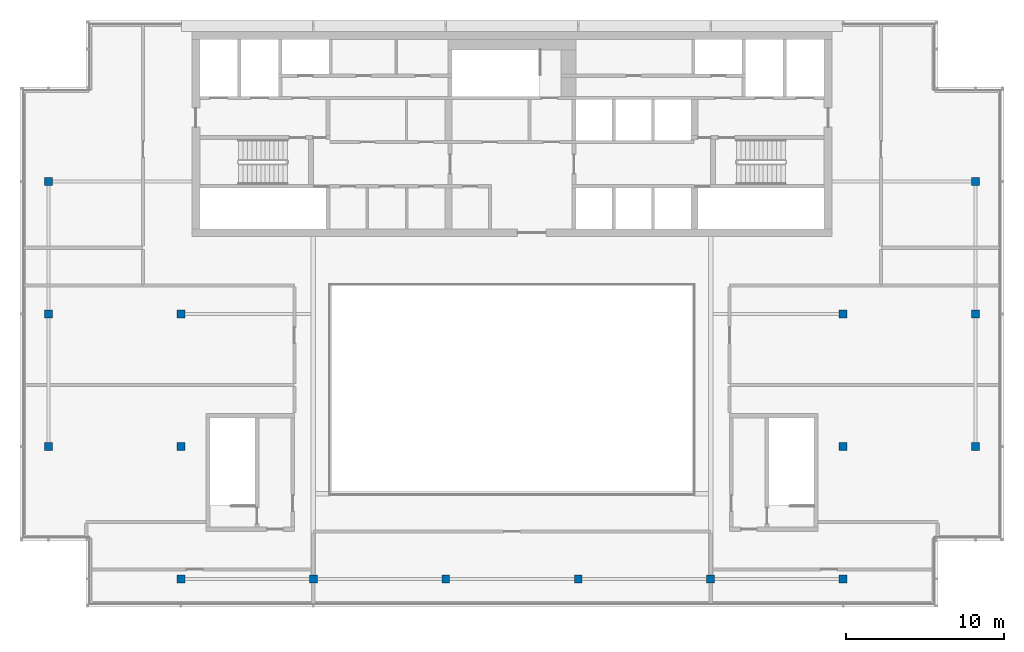
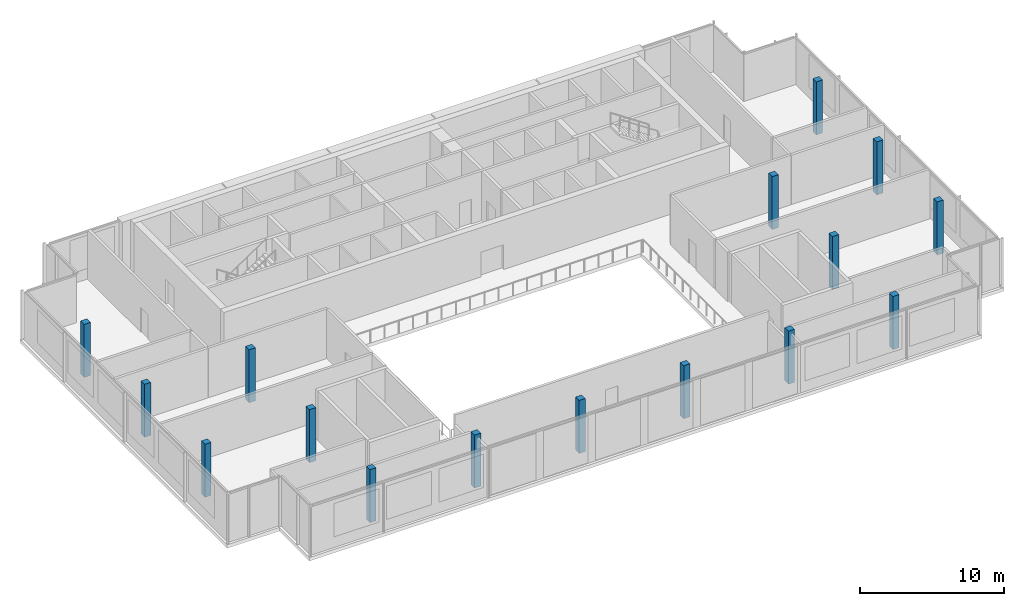
# One storey, part 1 of 14: 16 columns.
"""IFC4 building model written with IfcOpenShell, lengths in metres."""

import ifcopenshell
import ifcopenshell.guid

model = None  # the IFC model being written
_history = None  # IfcOwnerHistory: only IFC2X3 demands one
_inside = {}  # id of a spatial element -> (the spatial element, [elements in it])
_under = {}  # id of a project, library or spatial element -> (it, [spatial elements below it])
_declared = {}  # id of a project -> (the project, [libraries it declares])
_typed = {}  # id of a type object -> (the type object, [elements of that type])
_made_of = {}  # id of a material, layer set ... -> (it, [elements and type objects made of it])


def new_model(schema):
    """Start an empty IFC model of exactly this schema.

    Asked for "IFC4X3", IfcOpenShell would pick the latest addendum, in which some entities
    have other attributes; the version numbers below select the first issue.
    IFC2X3 requires an IfcOwnerHistory on every rooted entity: one is made here for all.
    """
    global model, _history
    if schema == "IFC4X3":
        model = ifcopenshell.file(schema_version=(4, 3, 0, 0))
    else:
        model = ifcopenshell.file(schema=schema)
    _inside.clear()
    _under.clear()
    _declared.clear()
    _typed.clear()
    _made_of.clear()
    _history = None
    if model.schema == "IFC2X3":
        org = make("IfcOrganization", Name="unknown")
        user = make(
            "IfcPersonAndOrganization",
            ThePerson=make("IfcPerson", FamilyName="unknown"),
            TheOrganization=org,
        )
        app = make(
            "IfcApplication",
            ApplicationDeveloper=org,
            Version="unknown",
            ApplicationFullName="unknown",
            ApplicationIdentifier="unknown",
        )
        _history = make(
            "IfcOwnerHistory",
            OwningUser=user,
            OwningApplication=app,
            ChangeAction="ADDED",
            CreationDate=0,
        )
    return model


def make(cls, **values):
    """One entity of the class cls with the attributes given. An attribute that is None is left unset."""
    return model.create_entity(
        cls, **{name: value for name, value in values.items() if value is not None}
    )


def rooted(cls, **values):
    """An entity with a GlobalId (a new one), such as an element, a storey or a relation."""
    return make(cls, GlobalId=ifcopenshell.guid.new(), OwnerHistory=_history, **values)


def si_unit(unit_type, name, prefix=None):
    """IfcSIUnit, for example si_unit("LENGTHUNIT", "METRE", prefix="MILLI")."""
    return make("IfcSIUnit", UnitType=unit_type, Prefix=prefix, Name=name)


def assignment(units):
    """IfcUnitAssignment: the units of a project."""
    return None if units is None else make("IfcUnitAssignment", Units=units)


def point(xyz):
    """IfcCartesianPoint."""
    return None if xyz is None else make("IfcCartesianPoint", Coordinates=xyz)


def direction(xyz):
    """IfcDirection."""
    return None if xyz is None else make("IfcDirection", DirectionRatios=xyz)


def frame(location, z_axis=None, x_axis=None):
    """IfcAxis2Placement3D, a coordinate frame: its origin and axes. An axis left out is left unset."""
    return make(
        "IfcAxis2Placement3D",
        Location=point(location),
        Axis=direction(z_axis),
        RefDirection=direction(x_axis),
    )


def frame_2d(location, x_axis=None):
    """IfcAxis2Placement2D, a coordinate frame in the plane: its origin and x axis."""
    return make(
        "IfcAxis2Placement2D", Location=point(location), RefDirection=direction(x_axis)
    )


def origin():
    """The frame at (0, 0, 0) with its axes left unset."""
    return frame((0.0, 0.0, 0.0))


def origin_2d():
    """The frame at (0, 0) in the plane with its x axis left unset."""
    return frame_2d((0.0, 0.0))


def place(relative_to, where):
    """IfcLocalPlacement: puts the frame where relative to a parent placement (None: the world)."""
    return make(
        "IfcLocalPlacement", PlacementRelTo=relative_to, RelativePlacement=where
    )


def context(
    kind, dimensions, precision=None, world=None, true_north=None, identifier=None
):
    """IfcGeometricRepresentationContext, for example the 3D "Model" context."""
    return make(
        "IfcGeometricRepresentationContext",
        ContextIdentifier=identifier,
        ContextType=kind,
        CoordinateSpaceDimension=dimensions,
        Precision=precision,
        WorldCoordinateSystem=world,
        TrueNorth=true_north,
    )


def subcontext(parent, identifier, kind, view, scale=None):
    """IfcGeometricRepresentationSubContext, for example "Body" below "Model"."""
    return make(
        "IfcGeometricRepresentationSubContext",
        ContextIdentifier=identifier,
        ContextType=kind,
        ParentContext=parent,
        TargetScale=scale,
        TargetView=view,
    )


def project(units=None, contexts=None):
    """IfcProject with its units and contexts."""
    return rooted(
        "IfcProject",
        Name="project",
        RepresentationContexts=contexts,
        UnitsInContext=assignment(units),
    )


def spatial(cls, under=None, at=None, **own):
    """A site, building, storey or space (cls), placed at a placement, below another one or the project."""
    s = rooted(cls, ObjectPlacement=at, **own)
    if under is not None:
        _under.setdefault(under.id(), (under, []))[1].append(s)
    return s


def profile(cls, at=None, kind="AREA", **sizes):
    """A parametric profile (cls). Its sizes go by their IFC names, for example OverallWidth=200.0."""
    return make(cls, ProfileType=kind, Position=at, **sizes)


def rectangle(**sizes):
    """IfcRectangleProfileDef."""
    return profile("IfcRectangleProfileDef", **sizes)


def extrude(swept, where, along, depth):
    """IfcExtrudedAreaSolid: the profile swept, set in the frame where, extruded along a direction by depth."""
    return make(
        "IfcExtrudedAreaSolid",
        SweptArea=swept,
        Position=where,
        ExtrudedDirection=direction(along),
        Depth=depth,
    )


def shape(context_of_items, identifier, shape_type, items):
    """IfcShapeRepresentation: the items that make up one representation, for example the "Body"."""
    return make(
        "IfcShapeRepresentation",
        ContextOfItems=context_of_items,
        RepresentationIdentifier=identifier,
        RepresentationType=shape_type,
        Items=items,
    )


def material(Name=None, Category=None):
    """IfcMaterial."""
    return make("IfcMaterial", Name=Name, Category=Category)


def material_profile(
    of_material, cross_section, Name=None, Category=None, Priority=None
):
    """IfcMaterialProfile: a cross section and its material."""
    return make(
        "IfcMaterialProfile",
        Name=Name,
        Material=of_material,
        Profile=cross_section,
        Priority=Priority,
        Category=Category,
    )


def profile_set(profiles, Name=None, composite=None):
    """IfcMaterialProfileSet."""
    return make(
        "IfcMaterialProfileSet",
        Name=Name,
        MaterialProfiles=profiles,
        CompositeProfile=composite,
    )


def made_of(thing, what):
    """Note that an element or type object is made of a material, layer set ...; save() writes the relation."""
    if what is not None:
        _made_of.setdefault(what.id(), (what, []))[1].append(thing)
    return thing


def type_object(cls, material=None, **own):
    """A type object (cls), such as IfcWallType, which elements share."""
    return made_of(rooted(cls, **own), material)


def element(
    cls,
    number,
    at=None,
    inside=None,
    cuts=None,
    type_object=None,
    material=None,
    context=None,
    identifier="Body",
    shape_type=None,
    held_by="IfcProductDefinitionShape",
    body=None,
    shapes=None,
    **own,
):
    """One element of the class cls, such as IfcWall. Its Tag is "e" and its number.

    at: its placement. inside: the storey or other place that contains it. cuts: it is an
    opening in that element (IfcRelVoidsElement). A single representation is given by context,
    identifier, shape_type and body (its items); several are given by shapes. held_by: the class
    of the entity that holds the representations. save() writes the other relations.
    """
    e = rooted(cls, Tag="e%d" % number, ObjectPlacement=at, **own)
    if body is not None:
        shapes = [shape(context, identifier, shape_type, body)]
    if shapes is not None:
        e.Representation = make(held_by, Representations=shapes)
    if inside is not None:
        _inside.setdefault(inside.id(), (inside, []))[1].append(e)
    if cuts is not None:
        rooted(
            "IfcRelVoidsElement", RelatingBuildingElement=cuts, RelatedOpeningElement=e
        )
    if type_object is not None:
        _typed.setdefault(type_object.id(), (type_object, []))[1].append(e)
    return made_of(e, material)


def aggregate(whole, parts):
    """IfcRelAggregates: a whole, such as a stair, and the parts it consists of."""
    return rooted("IfcRelAggregates", RelatingObject=whole, RelatedObjects=parts)


def save(model, path):
    """Write the relations noted so far, then the file.

    IfcRelAggregates (storeys below a building ...), IfcRelContainedInSpatialStructure (elements
    in a storey), IfcRelDefinesByType, IfcRelAssociatesMaterial and IfcRelDeclares: one each for
    every whole, place, type object, material and project.
    """
    for whole, parts in _under.values():
        aggregate(whole, parts)
    for where, things in _inside.values():
        rooted(
            "IfcRelContainedInSpatialStructure",
            RelatedElements=things,
            RelatingStructure=where,
        )
    for kind, things in _typed.values():
        rooted("IfcRelDefinesByType", RelatedObjects=things, RelatingType=kind)
    for what, things in _made_of.values():
        rooted("IfcRelAssociatesMaterial", RelatedObjects=things, RelatingMaterial=what)
    for by, libraries in _declared.values():
        rooted("IfcRelDeclares", RelatingContext=by, RelatedDefinitions=libraries)
    model.write(path)


model = new_model("IFC4")

# Units and contexts
model_context = context("Model", 3, precision=1e-05, world=origin(), true_north=direction((0.0, 1.0)))
body_context = subcontext(model_context, "Body", "Model", "MODEL_VIEW")
ifc_project = project(units=[si_unit("LENGTHUNIT", "METRE"), si_unit("AREAUNIT", "SQUARE_METRE"), si_unit("VOLUMEUNIT", "CUBIC_METRE"), si_unit("PLANEANGLEUNIT", "RADIAN"), si_unit("MASSUNIT", "GRAM", prefix="KILO")], contexts=[model_context])

# Site, building, storey
site_placement = place(None, origin())
site = spatial("IfcSite", under=ifc_project, at=site_placement, CompositionType="ELEMENT")
building_placement = place(site_placement, origin())
building = spatial("IfcBuilding", under=site, at=building_placement, Name="Saffron Gate Tower", CompositionType="ELEMENT")
storey_placement = place(building_placement, frame((0.0, 0.0, 310.35009765625)))
storey = spatial("IfcBuildingStorey", under=building, at=storey_placement, Name="L76", CompositionType="ELEMENT", Elevation=310.35009765625)

# Columns
ifc_material = material(Name="Concrete C40", Category="concrete")
ifc_material_profile = material_profile(ifc_material, rectangle(XDim=0.5, YDim=0.5, at=origin_2d()))
ifc_profile_set = profile_set([ifc_material_profile], Name="Concrete C40")
column_type = type_object("IfcColumnType", Name="C1 RC 500x500 CONCRETE C40", PredefinedType="COLUMN", material=ifc_profile_set)
for number, where, z_axis, x_axis, name in (
    (1, (58.199951171875, 48.60009765625, 0.0), (0.0, 0.0, 1.0), (1.0, 0.0, 0.0), "C1 COLUMN X2-C"),
    (2, (58.199951171875, 57.0, 0.0), (0.0, 0.0, 1.0), (1.0, 0.0, 0.0), "C1 COLUMN X2-D"),
    (3, (58.199951171875, 65.39990234375, 0.0), (0.0, 0.0, 1.0), (1.0, 0.0, 0.0), "C1 COLUMN X2-E"),
    (4, (66.60009765625, 40.199951171875, 0.0), (0.0, 0.0, 1.0), (1.0, 0.0, 0.0), "C1 COLUMN X3-B"),
    (5, (66.60009765625, 48.60009765625, 0.0), (0.0, 0.0, 1.0), (1.0, 0.0, 0.0), "C1 COLUMN X3-C"),
    (6, (66.60009765625, 57.0, 0.0), (0.0, 0.0, 1.0), (1.0, 0.0, 0.0), "C1 COLUMN X3-D"),
    (7, (75.0, 40.199951171875, 0.0), (0.0, 0.0, 1.0), (1.0, 0.0, 0.0), "C1 COLUMN X4-B"),
    (8, (83.39990234375, 40.199951171875, 0.0), (0.0, 0.0, 1.0), (1.0, 0.0, 0.0), "C1 COLUMN X5-B"),
    (9, (91.800048828125, 40.199951171875, 0.0), (0.0, 0.0, 1.0), (1.0, 0.0, 0.0), "C1 COLUMN X6-B"),
    (10, (100.199951171875, 40.199951171875, 0.0), (0.0, 0.0, 1.0), (1.0, 0.0, 0.0), "C1 COLUMN X7-B"),
    (11, (108.60009765625, 40.199951171875, 0.0), (0.0, 0.0, 1.0), (1.0, 0.0, 0.0), "C1 COLUMN X8-B"),
    (12, (108.60009765625, 48.60009765625, 0.0), (0.0, 0.0, 1.0), (1.0, 0.0, 0.0), "C1 COLUMN X8-C"),
    (13, (108.60009765625, 57.0, 0.0), (0.0, 0.0, 1.0), (1.0, 0.0, 0.0), "C1 COLUMN X8-D"),
    (14, (117.0, 48.60009765625, 0.0), (0.0, 0.0, 1.0), (1.0, 0.0, 0.0), "C1 COLUMN X9-C"),
    (15, (117.0, 57.0, 0.0), (0.0, 0.0, 1.0), (1.0, 0.0, 0.0), "C1 COLUMN X9-D"),
    (16, (117.0, 65.39990234375, 0.0), (0.0, 0.0, 1.0), (1.0, 0.0, 0.0), "C1 COLUMN X9-E"),
):
    element("IfcColumn", number, at=place(storey_placement, frame(where, z_axis=z_axis, x_axis=x_axis)), inside=storey, type_object=column_type, Name=name, PredefinedType="COLUMN", context=body_context, shape_type="SweptSolid", body=[
        extrude(rectangle(XDim=0.5, YDim=0.5, at=origin_2d()), origin(), (0.0, 0.0, 1.0), 4.5),
    ])

save(model, "model.ifc")
